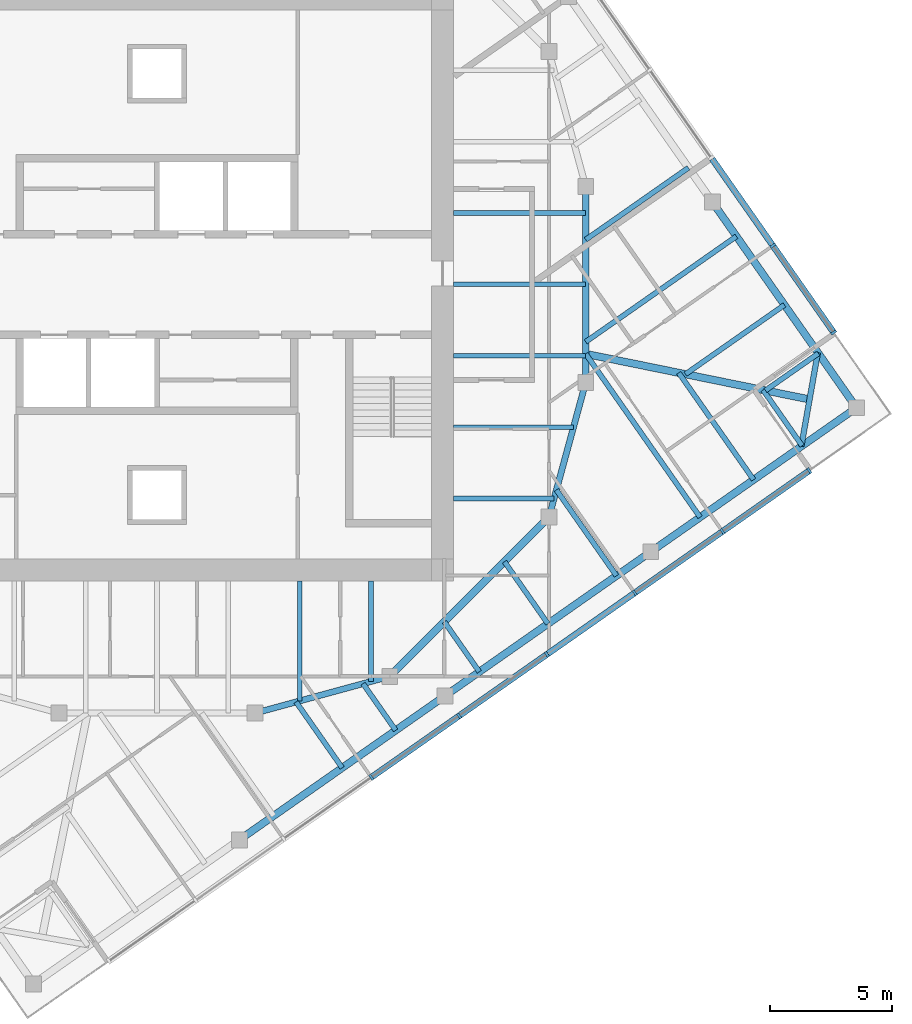
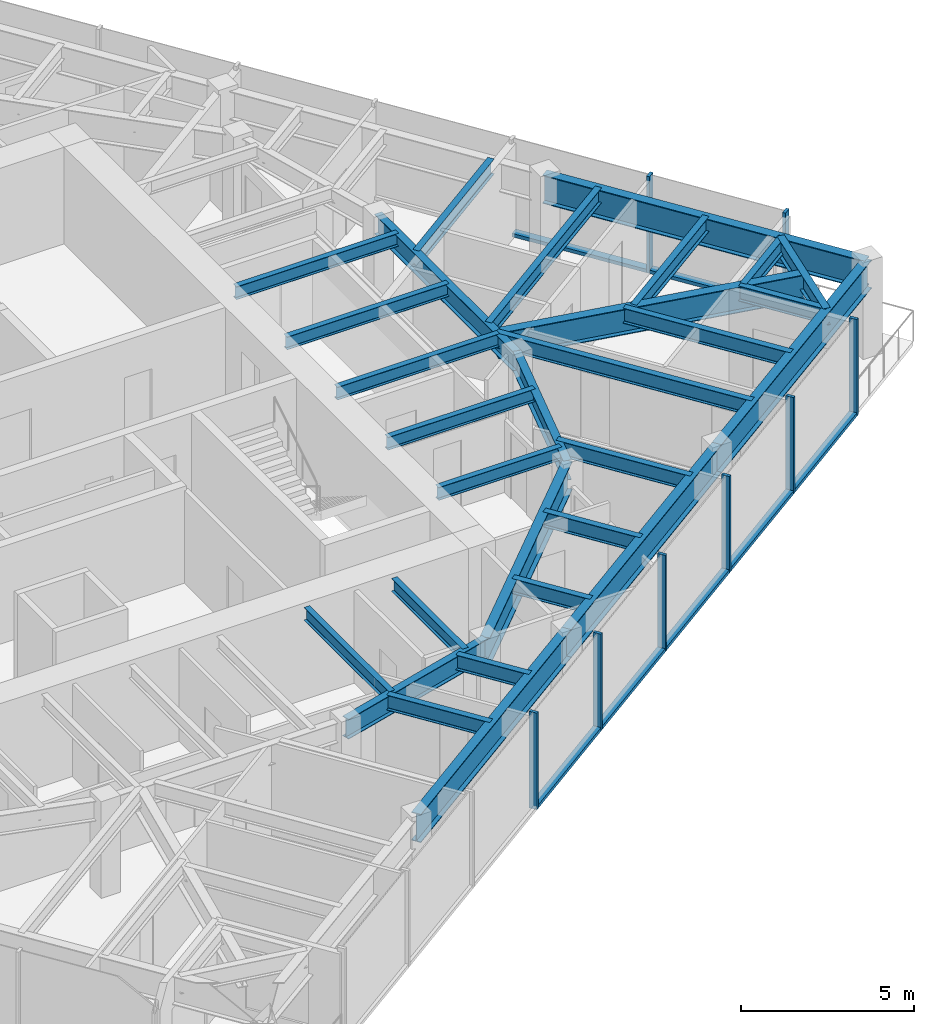
# One storey, part 3 of 12: 29 beams, 15 members, 2 elements without a shape of their own.
"""IFC4 building model written with IfcOpenShell, lengths in metres."""

from ifc_helpers import new_model, si_unit, direction, frame, origin, origin_2d, place, context, subcontext, project, spatial, rectangle, i_section, extrude, material, material_profile, profile_set, type_object, element, aggregate, save


model = new_model("IFC4")

# Units and contexts
model_context = context("Model", 3, precision=1e-05, world=origin(), true_north=direction((0.0, 1.0)))
body_context = subcontext(model_context, "Body", "Model", "MODEL_VIEW")
ifc_project = project(units=[si_unit("LENGTHUNIT", "METRE"), si_unit("AREAUNIT", "SQUARE_METRE"), si_unit("VOLUMEUNIT", "CUBIC_METRE"), si_unit("PLANEANGLEUNIT", "RADIAN"), si_unit("MASSUNIT", "GRAM", prefix="KILO")], contexts=[model_context])

# Site, building, storey
site_placement = place(None, origin())
site = spatial("IfcSite", under=ifc_project, at=site_placement, CompositionType="ELEMENT")
building_placement = place(site_placement, origin())
building = spatial("IfcBuilding", under=site, at=building_placement, Name="Torsade Residences", CompositionType="ELEMENT")
storey_placement = place(building_placement, frame((0.0, 0.0, 257.39990234375)))
storey = spatial("IfcBuildingStorey", under=building, at=storey_placement, Name="L71", CompositionType="ELEMENT", Elevation=257.39990234375)

# Beams
ifc_material_1 = material(Name="Steel grade 300", Category="steel")
ifc_material_profile_1 = material_profile(ifc_material_1, i_section(OverallWidth=0.300048828125, OverallDepth=0.89990234375, WebThickness=0.011962890625, FlangeThickness=0.02490234375, at=origin_2d()), Name="900WB175")
ifc_profile_set_1 = profile_set([ifc_material_profile_1], Name="Steel grade 300")
beam_type_1 = type_object("IfcBeamType", Name="CORNER GIRDER 900WB175", PredefinedType="BEAM", material=ifc_profile_set_1)
beam_1_placement = place(storey_placement, frame((66.635986328125, 25.303466796875, 2.800048828125), z_axis=(-0.979880626756, 0.199584461589, 0.0), x_axis=(-0.199584461589, -0.979880626756, 0.0)))
element("IfcBeam", 1, at=beam_1_placement, inside=storey, type_object=beam_type_1, Name="Corner girder 05 L72", PredefinedType="BEAM", context=body_context, shape_type="SweptSolid", body=[
    extrude(i_section(OverallWidth=0.300048828125, OverallDepth=0.89990234375, WebThickness=0.011962890625, FlangeThickness=0.02490234375, at=origin_2d()), origin(), (0.0, 0.0, 1.0), 9.323486328125),
])
ifc_material_2 = material(Name="Steel grade 300", Category="steel")
ifc_material_profile_2 = material_profile(ifc_material_2, i_section(OverallWidth=0.22802734375, OverallDepth=0.60205078125, WebThickness=0.010498046875, FlangeThickness=0.014892578125, FilletRadius=0.013916015625, at=origin_2d()), Name="610UB101")
ifc_profile_set_2 = profile_set([ifc_material_profile_2], Name="Steel grade 300")
beam_type_2 = type_object("IfcBeamType", Name="CORNER TRIMMER 610UB101", PredefinedType="BEAM", material=ifc_profile_set_2)
beam_2_placement = place(storey_placement, frame((66.9736328125, 27.21826171875, 2.94921875), z_axis=(-0.173645660267, -0.984808196894, 0.0), x_axis=(0.984808196894, -0.173645660267, 0.0)))
element("IfcBeam", 2, at=beam_2_placement, inside=storey, type_object=beam_type_2, Name="Corner trimmer 05 L72", PredefinedType="BEAM", context=body_context, shape_type="SweptSolid", body=[
    extrude(i_section(OverallWidth=0.22802734375, OverallDepth=0.60205078125, WebThickness=0.010498046875, FlangeThickness=0.014892578125, FilletRadius=0.013916015625, at=origin_2d()), origin(), (0.0, 0.0, 1.0), 3.888916015625),
])
ifc_material_3 = material(Name="Steel grade 300", Category="steel")
ifc_material_profile_3 = material_profile(ifc_material_3, i_section(OverallWidth=0.300048828125, OverallDepth=1.0, WebThickness=0.01611328125, FlangeThickness=0.028076171875, at=origin_2d()), Name="1000WB215")
ifc_profile_set_3 = profile_set([ifc_material_profile_3], Name="Steel grade 300")
beam_type_3 = type_object("IfcBeamType", Name="EDGE BEAM 1000WB215", PredefinedType="SPANDREL", material=ifc_profile_set_3)
for number, where, z_axis, x_axis, name in (
    (3, (43.362060546875, 7.328125, 2.75), (0.819150225126, 0.573579034377, 0.0), (-0.573579034377, 0.819150225126, 0.0), "Edge beam 02 L72"),
    (4, (51.75830078125, 13.207275390625, 2.75), (0.819150225126, 0.573579034377, 0.0), (-0.573579034377, 0.819150225126, 0.0), "Edge beam 03 L72"),
):
    element("IfcBeam", number, at=place(storey_placement, frame(where, z_axis=z_axis, x_axis=x_axis)), inside=storey, type_object=beam_type_3, Name=name, PredefinedType="SPANDREL", context=body_context, shape_type="SweptSolid", body=[
        extrude(i_section(OverallWidth=0.300048828125, OverallDepth=1.0, WebThickness=0.01611328125, FlangeThickness=0.028076171875, at=origin_2d()), origin(), (0.0, 0.0, 1.0), 10.25),
    ])
beam_3_placement = place(storey_placement, frame((60.154541015625, 19.08642578125, 2.75), z_axis=(0.819146870247, 0.573583825578, 0.0), x_axis=(-0.573583825578, 0.819146870247, 0.0)))
element("IfcBeam", 5, at=beam_3_placement, inside=storey, type_object=beam_type_3, Name="Edge beam 04 L72", PredefinedType="SPANDREL", context=body_context, shape_type="SweptSolid", body=[
    extrude(i_section(OverallWidth=0.300048828125, OverallDepth=1.0, WebThickness=0.01611328125, FlangeThickness=0.028076171875, at=origin_2d()), origin(), (0.0, 0.0, 1.0), 10.250244140625),
])
beam_4_placement = place(storey_placement, frame((68.551025390625, 24.9658203125, 2.75), z_axis=(-0.573579034377, 0.819150225126, 0.0), x_axis=(-0.819150225126, -0.573579034377, 0.0)))
element("IfcBeam", 6, at=beam_4_placement, inside=storey, type_object=beam_type_3, Name="Edge beam 05 L72", PredefinedType="SPANDREL", context=body_context, shape_type="SweptSolid", body=[
    extrude(i_section(OverallWidth=0.300048828125, OverallDepth=1.0, WebThickness=0.01611328125, FlangeThickness=0.028076171875, at=origin_2d()), origin(), (0.0, 0.0, 1.0), 10.25),
])

# Curtain wall, members
ifc_material_4 = material(Name="Aluminium and glass", Category="aluminium")
curtain_wall_type = type_object("IfcCurtainWallType", Name="FRITTED GLASS CURTAIN WALL HIGH ZONE", PredefinedType="NOTDEFINED", material=ifc_material_4)
curtain_wall_1_placement = place(storey_placement, origin())
curtain_wall_1 = element("IfcCurtainWall", 7, at=curtain_wall_1_placement, inside=storey, type_object=curtain_wall_type, Name="Curtain wall L71 face 1", PredefinedType="NOTDEFINED")
ifc_material_5 = material(Name="Aluminium mullion", Category="aluminium")
ifc_material_profile_4 = material_profile(ifc_material_5, rectangle(XDim=0.25, YDim=0.10009765625, at=origin_2d()), Name="HIGH ZONE CURTAIN WALL MULLION 250x100")
ifc_profile_set_4 = profile_set([ifc_material_profile_4], Name="Aluminium mullion")
member_type_1 = type_object("IfcMemberType", Name="HIGH ZONE CURTAIN WALL MULLION 250x100", PredefinedType="MULLION", material=ifc_profile_set_4)
member_1_placement = place(storey_placement, frame((48.748046875, 9.87890625, 0.0), z_axis=(0.0, 0.0, 1.0), x_axis=(-0.573576457682, 0.819152029353, 0.0)))
member_1 = element("IfcMember", 8, at=member_1_placement, type_object=member_type_1, Name="Mullion 4", PredefinedType="MULLION", context=body_context, shape_type="SweptSolid", body=[
    extrude(rectangle(XDim=0.25, YDim=0.10009765625, at=origin_2d()), origin(), (0.0, 0.0, 1.0), 3.400146484375),
])
member_2_placement = place(storey_placement, frame((52.331787109375, 12.38818359375, 0.0), z_axis=(0.0, 0.0, 1.0), x_axis=(-0.573576457682, 0.819152029353, 0.0)))
member_2 = element("IfcMember", 9, at=member_2_placement, type_object=member_type_1, Name="Mullion 5", PredefinedType="MULLION", context=body_context, shape_type="SweptSolid", body=[
    extrude(rectangle(XDim=0.25, YDim=0.10009765625, at=origin_2d()), origin(), (0.0, 0.0, 1.0), 3.400146484375),
])
member_3_placement = place(storey_placement, frame((55.915771484375, 14.897705078125, 0.0), z_axis=(0.0, 0.0, 1.0), x_axis=(-0.573576457682, 0.819152029353, 0.0)))
member_3 = element("IfcMember", 10, at=member_3_placement, type_object=member_type_1, Name="Mullion 6", PredefinedType="MULLION", context=body_context, shape_type="SweptSolid", body=[
    extrude(rectangle(XDim=0.25, YDim=0.10009765625, at=origin_2d()), origin(), (0.0, 0.0, 1.0), 3.400146484375),
])
member_4_placement = place(storey_placement, frame((59.49951171875, 17.406982421875, 0.0), z_axis=(0.0, 0.0, 1.0), x_axis=(-0.573576457682, 0.819152029353, 0.0)))
member_4 = element("IfcMember", 11, at=member_4_placement, type_object=member_type_1, Name="Mullion 7", PredefinedType="MULLION", context=body_context, shape_type="SweptSolid", body=[
    extrude(rectangle(XDim=0.25, YDim=0.10009765625, at=origin_2d()), origin(), (0.0, 0.0, 1.0), 3.400146484375),
])
member_5_placement = place(storey_placement, frame((63.083251953125, 19.91650390625, 0.0), z_axis=(0.0, 0.0, 1.0), x_axis=(-0.573576457682, 0.819152029353, 0.0)))
member_5 = element("IfcMember", 12, at=member_5_placement, type_object=member_type_1, Name="Mullion 8", PredefinedType="MULLION", context=body_context, shape_type="SweptSolid", body=[
    extrude(rectangle(XDim=0.25, YDim=0.10009765625, at=origin_2d()), origin(), (0.0, 0.0, 1.0), 3.400146484375),
])
member_6_placement = place(storey_placement, frame((66.6259765625, 22.397216796875, 0.0), z_axis=(0.0, 0.0, 1.0), x_axis=(-0.573576457682, 0.819152029353, 0.0)))
member_6 = element("IfcMember", 13, at=member_6_placement, type_object=member_type_1, Name="Mullion 9", PredefinedType="MULLION", context=body_context, shape_type="SweptSolid", body=[
    extrude(rectangle(XDim=0.25, YDim=0.10009765625, at=origin_2d()), origin(), (0.0, 0.0, 1.0), 3.400146484375),
])

curtain_wall_2_placement = place(storey_placement, origin())
curtain_wall_2 = element("IfcCurtainWall", 14, at=curtain_wall_2_placement, inside=storey, type_object=curtain_wall_type, Name="Curtain wall L71 face 4", PredefinedType="NOTDEFINED")
member_7_placement = place(storey_placement, frame((67.62060546875, 28.03759765625, 0.0), z_axis=(0.0, 0.0, 1.0), x_axis=(-0.819152029353, -0.573576457682, 0.0)))
member_7 = element("IfcMember", 15, at=member_7_placement, type_object=member_type_1, Name="Mullion 1", PredefinedType="MULLION", context=body_context, shape_type="SweptSolid", body=[
    extrude(rectangle(XDim=0.25, YDim=0.10009765625, at=origin_2d()), origin(), (0.0, 0.0, 1.0), 3.400146484375),
])
member_8_placement = place(storey_placement, frame((65.139892578125, 31.58056640625, 0.0), z_axis=(0.0, 0.0, 1.0), x_axis=(-0.819152029353, -0.573576457682, 0.0)))
member_8 = element("IfcMember", 16, at=member_8_placement, type_object=member_type_1, Name="Mullion 2", PredefinedType="MULLION", context=body_context, shape_type="SweptSolid", body=[
    extrude(rectangle(XDim=0.25, YDim=0.10009765625, at=origin_2d()), origin(), (0.0, 0.0, 1.0), 3.400146484375),
])

# Member
ifc_material_6 = material(Name="Aluminium transom", Category="aluminium")
ifc_material_profile_5 = material_profile(ifc_material_6, rectangle(XDim=0.25, YDim=0.1201171875, at=origin_2d()), Name="HIGH ZONE CURTAIN WALL TRANSOM 250x120")
ifc_profile_set_5 = profile_set([ifc_material_profile_5], Name="Aluminium transom")
member_type_2 = type_object("IfcMemberType", Name="HIGH ZONE CURTAIN WALL TRANSOM 250x120", PredefinedType="USERDEFINED", material=ifc_profile_set_5)
member_9_placement = place(storey_placement, frame((48.7890625, 9.907470703125, 0.06005859375), z_axis=(0.819146058863, 0.57358498433, 0.0), x_axis=(-0.57358498433, 0.819146058863, 0.0)))
member_9 = element("IfcMember", 17, at=member_9_placement, type_object=member_type_2, Name="Transom 4.1", ObjectType="TRANSOM", PredefinedType="USERDEFINED", context=body_context, shape_type="SweptSolid", body=[
    extrude(rectangle(XDim=0.25, YDim=0.1201171875, at=origin_2d()), origin(), (0.0, 0.0, 1.0), 4.275146484375),
])

member_10_placement = place(storey_placement, frame((52.372802734375, 12.4169921875, 0.06005859375), z_axis=(0.81917289067, 0.573546663483, 0.0), x_axis=(-0.573546663483, 0.81917289067, 0.0)))
member_10 = element("IfcMember", 18, at=member_10_placement, type_object=member_type_2, Name="Transom 5.1", ObjectType="TRANSOM", PredefinedType="USERDEFINED", context=body_context, shape_type="SweptSolid", body=[
    extrude(rectangle(XDim=0.25, YDim=0.1201171875, at=origin_2d()), origin(), (0.0, 0.0, 1.0), 4.27490234375),
])

member_11_placement = place(storey_placement, frame((55.95654296875, 14.92626953125, 0.06005859375), z_axis=(0.819146058863, 0.57358498433, 0.0), x_axis=(-0.57358498433, 0.819146058863, 0.0)))
member_11 = element("IfcMember", 19, at=member_11_placement, type_object=member_type_2, Name="Transom 6.1", ObjectType="TRANSOM", PredefinedType="USERDEFINED", context=body_context, shape_type="SweptSolid", body=[
    extrude(rectangle(XDim=0.25, YDim=0.1201171875, at=origin_2d()), origin(), (0.0, 0.0, 1.0), 4.275146484375),
])

member_12_placement = place(storey_placement, frame((59.54052734375, 17.435791015625, 0.06005859375), z_axis=(0.819154102984, 0.573573496219, 0.0), x_axis=(-0.573573496219, 0.819154102984, 0.0)))
member_12 = element("IfcMember", 20, at=member_12_placement, type_object=member_type_2, Name="Transom 7.1", ObjectType="TRANSOM", PredefinedType="USERDEFINED", context=body_context, shape_type="SweptSolid", body=[
    extrude(rectangle(XDim=0.25, YDim=0.1201171875, at=origin_2d()), origin(), (0.0, 0.0, 1.0), 4.27490234375),
])

member_13_placement = place(storey_placement, frame((63.124267578125, 19.945068359375, 0.06005859375), z_axis=(0.819155901234, 0.573570928023, 0.0), x_axis=(-0.573570928023, 0.819155901234, 0.0)))
member_13 = element("IfcMember", 21, at=member_13_placement, type_object=member_type_2, Name="Transom 8.1", ObjectType="TRANSOM", PredefinedType="USERDEFINED", context=body_context, shape_type="SweptSolid", body=[
    extrude(rectangle(XDim=0.25, YDim=0.1201171875, at=origin_2d()), origin(), (0.0, 0.0, 1.0), 4.22509765625),
])

aggregate(curtain_wall_1, [member_1, member_2, member_3, member_4, member_5, member_6, member_9, member_10, member_11, member_12, member_13])

member_14_placement = place(storey_placement, frame((67.592041015625, 28.07861328125, 0.06005859375), z_axis=(-0.573570928023, 0.819155901234, 0.0), x_axis=(-0.819155901234, -0.573570928023, 0.0)))
member_14 = element("IfcMember", 22, at=member_14_placement, type_object=member_type_2, Name="Transom 1.1", ObjectType="TRANSOM", PredefinedType="USERDEFINED", context=body_context, shape_type="SweptSolid", body=[
    extrude(rectangle(XDim=0.25, YDim=0.1201171875, at=origin_2d()), origin(), (0.0, 0.0, 1.0), 4.22509765625),
])

member_15_placement = place(storey_placement, frame((65.111328125, 31.62158203125, 0.06005859375), z_axis=(-0.573611817101, 0.819127269283, 0.0), x_axis=(-0.819127269283, -0.573611817101, 0.0)))
member_15 = element("IfcMember", 23, at=member_15_placement, type_object=member_type_2, Name="Transom 2.1", ObjectType="TRANSOM", PredefinedType="USERDEFINED", context=body_context, shape_type="SweptSolid", body=[
    extrude(rectangle(XDim=0.25, YDim=0.1201171875, at=origin_2d()), origin(), (0.0, 0.0, 1.0), 4.27490234375),
])

aggregate(curtain_wall_2, [member_7, member_8, member_14, member_15])

# Beams
ifc_material_7 = material(Name="Steel grade 300", Category="steel")
ifc_material_profile_6 = material_profile(ifc_material_7, i_section(OverallWidth=0.18994140625, OverallDepth=0.4541015625, WebThickness=0.008544921875, FlangeThickness=0.0126953125, FilletRadius=0.011474609375, at=origin_2d()), Name="460UB67.1")
ifc_profile_set_6 = profile_set([ifc_material_profile_6], Name="Steel grade 300")
beam_type_4 = type_object("IfcBeamType", Name="INNER FLOOR BEAM 460UB67.1", PredefinedType="JOIST", material=ifc_profile_set_6)
beam_5_placement = place(storey_placement, frame((48.737548828125, 17.89990234375, 3.023193359375), z_axis=(0.0, -1.0, 0.0), x_axis=(1.0, 0.0, 0.0)))
element("IfcBeam", 24, at=beam_5_placement, inside=storey, type_object=beam_type_4, Name="Inner floor beam IS01 L72", PredefinedType="JOIST", context=body_context, shape_type="SweptSolid", body=[
    extrude(i_section(OverallWidth=0.18994140625, OverallDepth=0.4541015625, WebThickness=0.008544921875, FlangeThickness=0.0126953125, FilletRadius=0.011474609375, at=origin_2d()), origin(), (0.0, 0.0, 1.0), 4.10791015625),
])
beam_6_placement = place(storey_placement, frame((45.824951171875, 17.89990234375, 3.023193359375), z_axis=(0.0, -1.0, 0.0), x_axis=(1.0, 0.0, 0.0)))
element("IfcBeam", 25, at=beam_6_placement, inside=storey, type_object=beam_type_4, Name="Inner floor beam IS02 L72", PredefinedType="JOIST", context=body_context, shape_type="SweptSolid", body=[
    extrude(i_section(OverallWidth=0.18994140625, OverallDepth=0.4541015625, WebThickness=0.008544921875, FlangeThickness=0.0126953125, FilletRadius=0.011474609375, at=origin_2d()), origin(), (0.0, 0.0, 1.0), 4.902099609375),
])
beam_7_placement = place(storey_placement, frame((52.10009765625, 21.262451171875, 3.023193359375), z_axis=(1.0, 0.0, 0.0), x_axis=(0.0, 1.0, 0.0)))
element("IfcBeam", 26, at=beam_7_placement, inside=storey, type_object=beam_type_4, Name="Inner floor beam IE01 L72", PredefinedType="JOIST", context=body_context, shape_type="SweptSolid", body=[
    extrude(i_section(OverallWidth=0.18994140625, OverallDepth=0.4541015625, WebThickness=0.008544921875, FlangeThickness=0.0126953125, FilletRadius=0.011474609375, at=origin_2d()), origin(), (0.0, 0.0, 1.0), 4.10791015625),
])
beam_8_placement = place(storey_placement, frame((52.10009765625, 24.175048828125, 3.023193359375), z_axis=(1.0, 0.0, 0.0), x_axis=(0.0, 1.0, 0.0)))
element("IfcBeam", 27, at=beam_8_placement, inside=storey, type_object=beam_type_4, Name="Inner floor beam IE02 L72", PredefinedType="JOIST", context=body_context, shape_type="SweptSolid", body=[
    extrude(i_section(OverallWidth=0.18994140625, OverallDepth=0.4541015625, WebThickness=0.008544921875, FlangeThickness=0.0126953125, FilletRadius=0.011474609375, at=origin_2d()), origin(), (0.0, 0.0, 1.0), 4.902099609375),
])
for number, where, z_axis, x_axis, name in (
    (28, (52.10009765625, 27.08740234375, 3.023193359375), (1.0, 0.0, 0.0), (0.0, 1.0, 0.0), "Inner floor beam IE03 L72"),
    (29, (52.10009765625, 30.0, 3.023193359375), (1.0, 0.0, 0.0), (0.0, 1.0, 0.0), "Inner floor beam IE04 L72"),
    (30, (52.10009765625, 32.91259765625, 3.023193359375), (1.0, 0.0, 0.0), (0.0, 1.0, 0.0), "Inner floor beam IE05 L72"),
):
    element("IfcBeam", number, at=place(storey_placement, frame(where, z_axis=z_axis, x_axis=x_axis)), inside=storey, type_object=beam_type_4, Name=name, PredefinedType="JOIST", context=body_context, shape_type="SweptSolid", body=[
        extrude(i_section(OverallWidth=0.18994140625, OverallDepth=0.4541015625, WebThickness=0.008544921875, FlangeThickness=0.0126953125, FilletRadius=0.011474609375, at=origin_2d()), origin(), (0.0, 0.0, 1.0), 5.39990234375),
    ])
ifc_material_8 = material(Name="Steel grade 300", Category="steel")
ifc_material_profile_7 = material_profile(ifc_material_8, i_section(OverallWidth=0.300048828125, OverallDepth=1.0, WebThickness=0.01611328125, FlangeThickness=0.028076171875, at=origin_2d()), Name="1000WB215")
ifc_profile_set_7 = profile_set([ifc_material_profile_7], Name="Steel grade 300")
beam_type_5 = type_object("IfcBeamType", Name="RING CORNER GIRDER 1000WB215", PredefinedType="BEAM", material=ifc_profile_set_7)
beam_9_placement = place(storey_placement, frame((49.5, 14.0, 2.75), z_axis=(0.707106781187, 0.707106781187, 0.0), x_axis=(-0.707106781187, 0.707106781187, 0.0)))
element("IfcBeam", 31, at=beam_9_placement, inside=storey, type_object=beam_type_5, Name="Ring girder IR15 L72", PredefinedType="BEAM", context=body_context, shape_type="SweptSolid", body=[
    extrude(i_section(OverallWidth=0.300048828125, OverallDepth=1.0, WebThickness=0.01611328125, FlangeThickness=0.028076171875, at=origin_2d()), origin(), (0.0, 0.0, 1.0), 9.1923828125),
])
ifc_material_9 = material(Name="Steel grade 300", Category="steel")
ifc_material_profile_8 = material_profile(ifc_material_9, i_section(OverallWidth=0.25, OverallDepth=0.699951171875, WebThickness=0.010009765625, FlangeThickness=0.02001953125, at=origin_2d()), Name="700WB130")
ifc_profile_set_8 = profile_set([ifc_material_profile_8], Name="Steel grade 300")
beam_type_6 = type_object("IfcBeamType", Name="RING GIRDER 700WB130", PredefinedType="BEAM", material=ifc_profile_set_8)
beam_10_placement = place(storey_placement, frame((57.5, 26.0, 2.900146484375), z_axis=(0.0, 1.0, 0.0), x_axis=(-1.0, 0.0, 0.0)))
element("IfcBeam", 32, at=beam_10_placement, inside=storey, type_object=beam_type_6, Name="Ring girder IR01 L72", PredefinedType="BEAM", context=body_context, shape_type="SweptSolid", body=[
    extrude(i_section(OverallWidth=0.25, OverallDepth=0.699951171875, WebThickness=0.010009765625, FlangeThickness=0.02001953125, at=origin_2d()), origin(), (0.0, 0.0, 1.0), 8.0),
])
for number, where, z_axis, x_axis, name in (
    (33, (44.0, 12.5, 2.900146484375), (0.964763821238, 0.263117405792, 0.0), (-0.263117405792, 0.964763821238, 0.0), "Ring girder IR14 L72"),
    (34, (56.0, 20.5, 2.900146484375), (0.263117405792, 0.964763821238, 0.0), (-0.964763821238, 0.263117405792, 0.0), "Ring girder IR16 L72"),
):
    element("IfcBeam", number, at=place(storey_placement, frame(where, z_axis=z_axis, x_axis=x_axis)), inside=storey, type_object=beam_type_6, Name=name, PredefinedType="BEAM", context=body_context, shape_type="SweptSolid", body=[
        extrude(i_section(OverallWidth=0.25, OverallDepth=0.699951171875, WebThickness=0.010009765625, FlangeThickness=0.02001953125, at=origin_2d()), origin(), (0.0, 0.0, 1.0), 5.700927734375),
    ])
ifc_material_10 = material(Name="Steel grade 300", Category="steel")
ifc_material_profile_9 = material_profile(ifc_material_10, i_section(OverallWidth=0.208984375, OverallDepth=0.532958984375, WebThickness=0.01025390625, FlangeThickness=0.015625, FilletRadius=0.013916015625, at=origin_2d()), Name="530UB92.4")
ifc_profile_set_9 = profile_set([ifc_material_profile_9], Name="Steel grade 300")
beam_type_7 = type_object("IfcBeamType", Name="SECONDARY BEAM 530UB92.4", PredefinedType="JOIST", material=ifc_profile_set_9)
beam_11_placement = place(storey_placement, frame((47.56005859375, 10.267822265625, 2.983642578125), z_axis=(-0.573552173902, 0.819169032504, 0.0), x_axis=(-0.819169032504, -0.573552173902, 0.0)))
element("IfcBeam", 35, at=beam_11_placement, inside=storey, type_object=beam_type_7, Name="Floor beam FS05 L72", PredefinedType="JOIST", context=body_context, shape_type="SweptSolid", body=[
    extrude(i_section(OverallWidth=0.208984375, OverallDepth=0.532958984375, WebThickness=0.01025390625, FlangeThickness=0.015625, FilletRadius=0.013916015625, at=origin_2d()), origin(), (0.0, 0.0, 1.0), 3.283203125),
])
beam_12_placement = place(storey_placement, frame((49.74462890625, 11.79736328125, 2.983642578125), z_axis=(-0.573567996949, 0.819157953557, 0.0), x_axis=(-0.819157953557, -0.573567996949, 0.0)))
element("IfcBeam", 36, at=beam_12_placement, inside=storey, type_object=beam_type_7, Name="Floor beam FS06 L72", PredefinedType="JOIST", context=body_context, shape_type="SweptSolid", body=[
    extrude(i_section(OverallWidth=0.208984375, OverallDepth=0.532958984375, WebThickness=0.01025390625, FlangeThickness=0.015625, FilletRadius=0.013916015625, at=origin_2d()), origin(), (0.0, 0.0, 1.0), 2.326171875),
])
beam_13_placement = place(storey_placement, frame((53.15771484375, 14.187255859375, 2.983642578125), z_axis=(-0.573547823109, 0.819172078752, 0.0), x_axis=(-0.819172078752, -0.573547823109, 0.0)))
element("IfcBeam", 37, at=beam_13_placement, inside=storey, type_object=beam_type_7, Name="Floor beam FS07 L72", PredefinedType="JOIST", context=body_context, shape_type="SweptSolid", body=[
    extrude(i_section(OverallWidth=0.208984375, OverallDepth=0.532958984375, WebThickness=0.01025390625, FlangeThickness=0.015625, FilletRadius=0.013916015625, at=origin_2d()), origin(), (0.0, 0.0, 1.0), 2.491943359375),
])
beam_14_placement = place(storey_placement, frame((55.95654296875, 16.14697265625, 2.983642578125), z_axis=(-0.573600013401, 0.819135534955, 0.0), x_axis=(-0.819135534955, -0.573600013401, 0.0)))
element("IfcBeam", 38, at=beam_14_placement, inside=storey, type_object=beam_type_7, Name="Floor beam FS08 L72", PredefinedType="JOIST", context=body_context, shape_type="SweptSolid", body=[
    extrude(i_section(OverallWidth=0.208984375, OverallDepth=0.532958984375, WebThickness=0.01025390625, FlangeThickness=0.015625, FilletRadius=0.013916015625, at=origin_2d()), origin(), (0.0, 0.0, 1.0), 3.09423828125),
])
beam_15_placement = place(storey_placement, frame((58.755126953125, 18.106689453125, 2.983642578125), z_axis=(-0.573581127575, 0.819148759439, 0.0), x_axis=(-0.819148759439, -0.573581127575, 0.0)))
element("IfcBeam", 39, at=beam_15_placement, inside=storey, type_object=beam_type_7, Name="Floor beam FS09 L72", PredefinedType="JOIST", context=body_context, shape_type="SweptSolid", body=[
    extrude(i_section(OverallWidth=0.208984375, OverallDepth=0.532958984375, WebThickness=0.01025390625, FlangeThickness=0.015625, FilletRadius=0.013916015625, at=origin_2d()), origin(), (0.0, 0.0, 1.0), 4.276123046875),
])
beam_16_placement = place(storey_placement, frame((62.16845703125, 20.49658203125, 2.983642578125), z_axis=(-0.573577087251, 0.819151588523, 0.0), x_axis=(-0.819151588523, -0.573577087251, 0.0)))
element("IfcBeam", 40, at=beam_16_placement, inside=storey, type_object=beam_type_7, Name="Floor beam FS10 L72", PredefinedType="JOIST", context=body_context, shape_type="SweptSolid", body=[
    extrude(i_section(OverallWidth=0.208984375, OverallDepth=0.532958984375, WebThickness=0.01025390625, FlangeThickness=0.015625, FilletRadius=0.013916015625, at=origin_2d()), origin(), (0.0, 0.0, 1.0), 8.13916015625),
])
beam_17_placement = place(storey_placement, frame((64.352783203125, 22.026123046875, 2.983642578125), z_axis=(-0.573597638513, 0.819137197966, 0.0), x_axis=(-0.819137197966, -0.573597638513, 0.0)))
element("IfcBeam", 41, at=beam_17_placement, inside=storey, type_object=beam_type_7, Name="Floor beam FS11 L72", PredefinedType="JOIST", context=body_context, shape_type="SweptSolid", body=[
    extrude(i_section(OverallWidth=0.208984375, OverallDepth=0.532958984375, WebThickness=0.01025390625, FlangeThickness=0.015625, FilletRadius=0.013916015625, at=origin_2d()), origin(), (0.0, 0.0, 1.0), 5.328369140625),
])
beam_18_placement = place(storey_placement, frame((66.332275390625, 23.412353515625, 2.983642578125), z_axis=(-0.573521270253, 0.819190669238, 0.0), x_axis=(-0.819190669238, -0.573521270253, 0.0)))
element("IfcBeam", 42, at=beam_18_placement, inside=storey, type_object=beam_type_7, Name="Floor beam FS12 L72", PredefinedType="JOIST", context=body_context, shape_type="SweptSolid", body=[
    extrude(i_section(OverallWidth=0.208984375, OverallDepth=0.532958984375, WebThickness=0.01025390625, FlangeThickness=0.015625, FilletRadius=0.013916015625, at=origin_2d()), origin(), (0.0, 0.0, 1.0), 2.780517578125),
])
beam_19_placement = place(storey_placement, frame((66.99755859375, 27.184326171875, 2.983642578125), z_axis=(-0.819140666445, -0.573592685254, 0.0), x_axis=(0.573592685254, -0.819140666445, 0.0)))
element("IfcBeam", 43, at=beam_19_placement, inside=storey, type_object=beam_type_7, Name="Floor beam FE01 L72", PredefinedType="JOIST", context=body_context, shape_type="SweptSolid", body=[
    extrude(i_section(OverallWidth=0.208984375, OverallDepth=0.532958984375, WebThickness=0.01025390625, FlangeThickness=0.015625, FilletRadius=0.013916015625, at=origin_2d()), origin(), (0.0, 0.0, 1.0), 2.639892578125),
])
beam_20_placement = place(storey_placement, frame((65.611328125, 29.163818359375, 2.983642578125), z_axis=(-0.819152843027, -0.573575295634, 0.0), x_axis=(0.573575295634, -0.819152843027, 0.0)))
element("IfcBeam", 44, at=beam_20_placement, inside=storey, type_object=beam_type_7, Name="Floor beam FE02 L72", PredefinedType="JOIST", context=body_context, shape_type="SweptSolid", body=[
    extrude(i_section(OverallWidth=0.208984375, OverallDepth=0.532958984375, WebThickness=0.01025390625, FlangeThickness=0.015625, FilletRadius=0.013916015625, at=origin_2d()), origin(), (0.0, 0.0, 1.0), 4.931884765625),
])
beam_21_placement = place(storey_placement, frame((63.651611328125, 31.962646484375, 2.983642578125), z_axis=(-0.819154019917, -0.573573614851, 0.0), x_axis=(0.573573614851, -0.819154019917, 0.0)))
element("IfcBeam", 45, at=beam_21_placement, inside=storey, type_object=beam_type_7, Name="Floor beam FE03 L72", PredefinedType="JOIST", context=body_context, shape_type="SweptSolid", body=[
    extrude(i_section(OverallWidth=0.208984375, OverallDepth=0.532958984375, WebThickness=0.01025390625, FlangeThickness=0.015625, FilletRadius=0.013916015625, at=origin_2d()), origin(), (0.0, 0.0, 1.0), 7.509765625),
])
beam_22_placement = place(storey_placement, frame((61.69189453125, 34.761474609375, 2.983642578125), z_axis=(-0.819142258339, -0.573590411882, 0.0), x_axis=(0.573590411882, -0.819142258339, 0.0)))
element("IfcBeam", 46, at=beam_22_placement, inside=storey, type_object=beam_type_7, Name="Floor beam FE04 L72", PredefinedType="JOIST", context=body_context, shape_type="SweptSolid", body=[
    extrude(i_section(OverallWidth=0.208984375, OverallDepth=0.532958984375, WebThickness=0.01025390625, FlangeThickness=0.015625, FilletRadius=0.013916015625, at=origin_2d()), origin(), (0.0, 0.0, 1.0), 5.117431640625),
])

save(model, "model.ifc")
